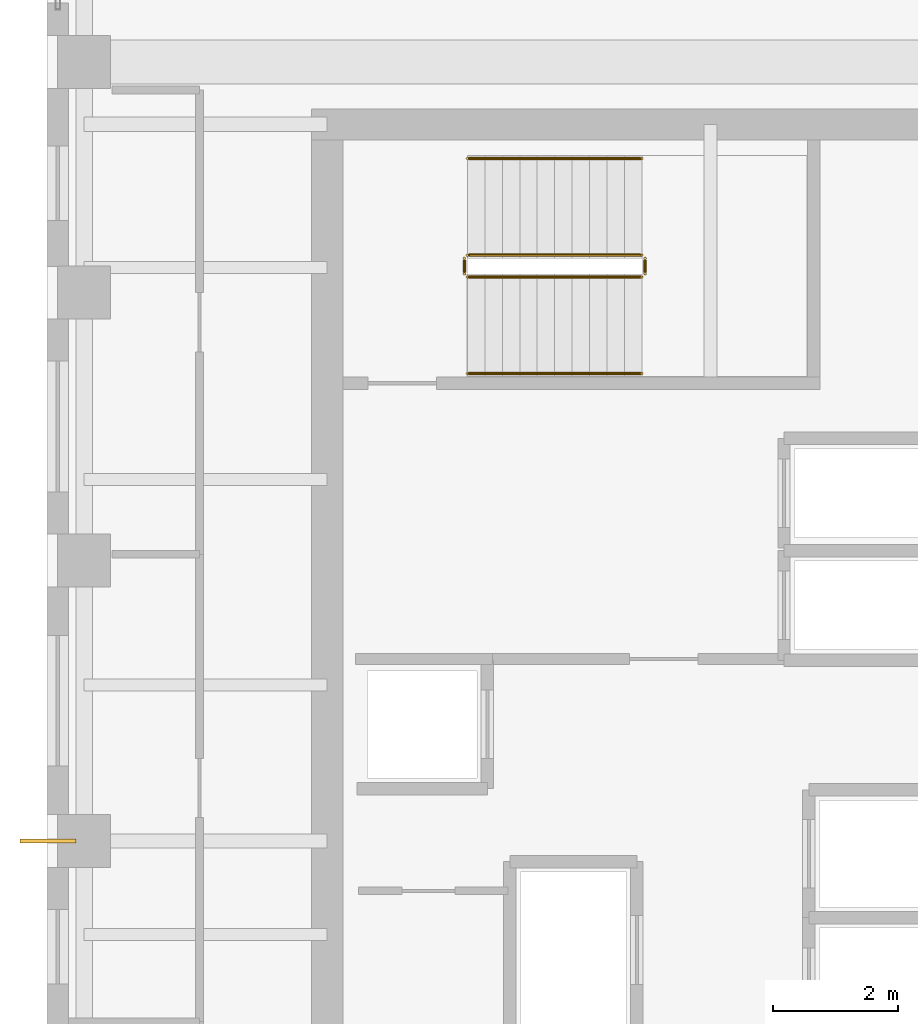
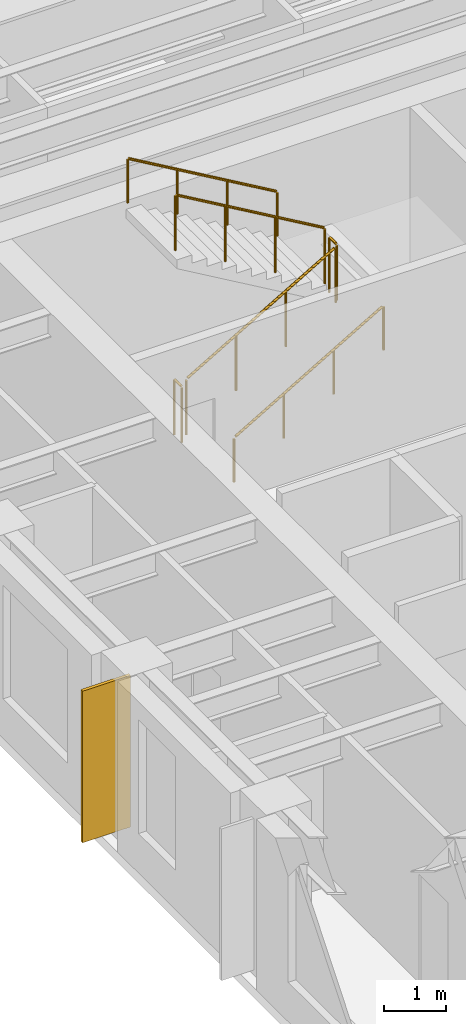
# One storey, part 12 of 13: 6 railings, 1 covering.
"""IFC4 building model written with IfcOpenShell, lengths in metres."""

from ifc_helpers import new_model, si_unit, direction, frame, origin, origin_2d, place, context, subcontext, project, spatial, rectangle, circle, extrude, source, transform, mapped, material, layer, layer_set, type_object, element, save


model = new_model("IFC4")

# Units and contexts
model_context = context("Model", 3, precision=1e-05, world=origin(), true_north=direction((0.0, 1.0)))
body_context = subcontext(model_context, "Body", "Model", "MODEL_VIEW")
ifc_project = project(units=[si_unit("LENGTHUNIT", "METRE"), si_unit("AREAUNIT", "SQUARE_METRE"), si_unit("VOLUMEUNIT", "CUBIC_METRE"), si_unit("PLANEANGLEUNIT", "RADIAN"), si_unit("MASSUNIT", "GRAM", prefix="KILO")], contexts=[model_context])

# Site, building, storey
site_placement = place(None, origin())
site = spatial("IfcSite", under=ifc_project, at=site_placement, CompositionType="ELEMENT")
building_placement = place(site_placement, origin())
building = spatial("IfcBuilding", under=site, at=building_placement, Name="Kharzan Plaza Tower", CompositionType="ELEMENT")
storey_placement = place(building_placement, frame((0.0, 0.0, 259.199951171875)))
storey = spatial("IfcBuildingStorey", under=building, at=storey_placement, Name="L70", CompositionType="ELEMENT", Elevation=259.199951171875)

# Railings
ifc_material_1 = material(Name="Painted Galvanized Architectural Steel", Category="steel")
ifc_layer_1 = layer(ifc_material_1, 0.074951171875)
ifc_layer_set_1 = layer_set([ifc_layer_1], Name="Painted Galvanized Architectural Steel")
railing_type_1 = type_object("IfcRailingType", Name="RL-GUARD-1120", PredefinedType="BALUSTRADE", material=ifc_layer_set_1)
shared_shape_1 = source(origin(), body_context, "Body", "SweptSolid", [
    extrude(circle(Radius=0.02392578125, at=origin_2d()), frame((0.0, 0.0263671875, 1.09619140625), z_axis=(0.0, 1.0, 0.0), x_axis=(-1.0, 0.0, 0.0)), (0.0, 0.0, 1.0), 0.197021484375),
    extrude(circle(Radius=0.02099609375, at=origin_2d()), origin(), (0.0, 0.0, 1.0), 1.072021484375),
    extrude(circle(Radius=0.02099609375, at=origin_2d()), frame((0.0, 0.25, 0.0)), (0.0, 0.0, 1.0), 1.072021484375),
])
for number, where, name in (
    (1, (9.60009765625, 27.10009765625, 1.800048828125), "L70 ST-2 stair guard 2"),
    (2, (6.699951171875, 27.10009765625, 0.0), "L70 ST-2 stair guard 4"),
):
    element("IfcRailing", number, at=place(storey_placement, frame(where)), inside=storey, type_object=railing_type_1, Name=name, PredefinedType="BALUSTRADE", context=body_context, shape_type="MappedRepresentation", body=[
        mapped(shared_shape_1, transform((0.0, 0.0, 0.0), x_axis=(1.0, 0.0, 0.0), y_axis=(0.0, 1.0, 0.0), z_axis=(0.0, 0.0, 1.0))),
    ])

# Covering
ifc_material_2 = material(Name="Honed Riyadh Limestone", Category="masonry")
ifc_layer_2 = layer(ifc_material_2, 0.06005859375)
ifc_layer_set_2 = layer_set([ifc_layer_2], Name="Honed Riyadh Limestone")
covering_type = type_object("IfcCoveringType", Name="COV-CLAD-STONE", PredefinedType="CLADDING", material=ifc_layer_set_2)
shared_shape_2 = source(origin(), body_context, "Body", "SweptSolid", [
    extrude(rectangle(XDim=0.06005859375, YDim=0.89990234375, at=origin_2d()), origin(), (0.0, 0.0, 1.0), 3.0),
])
covering_placement = place(storey_placement, frame((0.02001953125, 18.0, 0.10009765625), z_axis=(0.0, 0.0, 1.0), x_axis=(0.0, 1.0, 0.0)))
element("IfcCovering", 3, at=covering_placement, inside=storey, type_object=covering_type, Name="L70 Limestone Pier Rainscreen Cladding TCW-180", PredefinedType="CLADDING", context=body_context, shape_type="MappedRepresentation", body=[
    mapped(shared_shape_2, transform((0.0, 0.0, 0.0), x_axis=(1.0, 0.0, 0.0), y_axis=(0.0, 1.0, 0.0), z_axis=(0.0, 0.0, 1.0))),
])

# Railings
shared_shape_3 = source(origin(), body_context, "Body", "SweptSolid", [
    extrude(circle(Radius=0.02392578125, at=origin_2d()), frame((0.02294921875, 0.0, 1.109375), z_axis=(0.863360870873, 0.0, 0.504586966384), x_axis=(0.0, 1.0, 0.0)), (0.0, 0.0, 1.0), 3.190185546875),
    extrude(circle(Radius=0.02099609375, at=origin_2d()), origin(), (0.0, 0.0, 1.0), 1.072021484375),
    extrude(circle(Radius=0.02099609375, at=origin_2d()), frame((0.933349609375, 0.0, 0.54541015625)), (0.0, 0.0, 1.0), 1.072021484375),
    extrude(circle(Radius=0.02099609375, at=origin_2d()), frame((1.86669921875, 0.0, 1.091064453125)), (0.0, 0.0, 1.0), 1.072021484375),
    extrude(circle(Radius=0.02099609375, at=origin_2d()), frame((2.800048828125, 0.0, 1.636474609375)), (0.0, 0.0, 1.0), 1.072021484375),
])
railing_1_placement = place(storey_placement, frame((6.75, 27.050048828125, 0.16357421875)))
element("IfcRailing", 4, at=railing_1_placement, inside=storey, type_object=railing_type_1, Name="L70 ST-2 stair guard 1", PredefinedType="BALUSTRADE", context=body_context, shape_type="MappedRepresentation", body=[
    mapped(shared_shape_3, transform((0.0, 0.0, 0.0), x_axis=(1.0, 0.0, 0.0), y_axis=(0.0, 1.0, 0.0), z_axis=(0.0, 0.0, 1.0))),
])
shared_shape_4 = source(origin(), body_context, "Body", "SweptSolid", [
    extrude(circle(Radius=0.02392578125, at=origin_2d()), frame((-0.02294921875, 0.0, 1.109375), z_axis=(-0.863360870873, 0.0, 0.504586966384), x_axis=(0.0, -1.0, 0.0)), (0.0, 0.0, 1.0), 3.190185546875),
    extrude(circle(Radius=0.02099609375, at=origin_2d()), origin(), (0.0, 0.0, 1.0), 1.072021484375),
    extrude(circle(Radius=0.02099609375, at=origin_2d()), frame((-0.933349609375, 0.0, 0.54541015625)), (0.0, 0.0, 1.0), 1.072021484375),
    extrude(circle(Radius=0.02099609375, at=origin_2d()), frame((-1.86669921875, 0.0, 1.091064453125)), (0.0, 0.0, 1.0), 1.072021484375),
    extrude(circle(Radius=0.02099609375, at=origin_2d()), frame((-2.800048828125, 0.0, 1.636474609375)), (0.0, 0.0, 1.0), 1.072021484375),
])
railing_2_placement = place(storey_placement, frame((9.550048828125, 27.39990234375, 1.963623046875)))
element("IfcRailing", 5, at=railing_2_placement, inside=storey, type_object=railing_type_1, Name="L70 ST-2 stair guard 3", PredefinedType="BALUSTRADE", context=body_context, shape_type="MappedRepresentation", body=[
    mapped(shared_shape_4, transform((0.0, 0.0, 0.0), x_axis=(1.0, 0.0, 0.0), y_axis=(0.0, 1.0, 0.0), z_axis=(0.0, 0.0, 1.0))),
])
ifc_material_3 = material(Name="Brushed Stainless Steel", Category="steel")
ifc_layer_3 = layer(ifc_material_3, 0.050048828125)
ifc_layer_set_3 = layer_set([ifc_layer_3], Name="Brushed Stainless Steel")
railing_type_2 = type_object("IfcRailingType", Name="RL-STAIR-HR920", PredefinedType="HANDRAIL", material=ifc_layer_set_3)
shared_shape_5 = source(origin(), body_context, "Body", "SweptSolid", [
    extrude(circle(Radius=0.02392578125, at=origin_2d()), frame((0.02294921875, 0.0, 0.88916015625), z_axis=(0.863360870873, 0.0, 0.504586966384), x_axis=(0.0, 1.0, 0.0)), (0.0, 0.0, 1.0), 3.190185546875),
    extrude(circle(Radius=0.02099609375, at=origin_2d()), origin(), (0.0, 0.0, 1.0), 0.851806640625),
    extrude(circle(Radius=0.02099609375, at=origin_2d()), frame((0.933349609375, 0.0, 0.54541015625)), (0.0, 0.0, 1.0), 0.851806640625),
    extrude(circle(Radius=0.02099609375, at=origin_2d()), frame((1.86669921875, 0.0, 1.091064453125)), (0.0, 0.0, 1.0), 0.851806640625),
    extrude(circle(Radius=0.02099609375, at=origin_2d()), frame((2.800048828125, 0.0, 1.636474609375)), (0.0, 0.0, 1.0), 0.851806640625),
])
railing_3_placement = place(storey_placement, frame((6.75, 25.5, 0.16357421875)))
element("IfcRailing", 6, at=railing_3_placement, inside=storey, type_object=railing_type_2, Name="L70 ST-2 stair handrail 1", PredefinedType="HANDRAIL", context=body_context, shape_type="MappedRepresentation", body=[
    mapped(shared_shape_5, transform((0.0, 0.0, 0.0), x_axis=(1.0, 0.0, 0.0), y_axis=(0.0, 1.0, 0.0), z_axis=(0.0, 0.0, 1.0))),
])
shared_shape_6 = source(origin(), body_context, "Body", "SweptSolid", [
    extrude(circle(Radius=0.02392578125, at=origin_2d()), frame((-0.02294921875, 0.0, 0.88916015625), z_axis=(-0.863360870873, 0.0, 0.504586966384), x_axis=(0.0, -1.0, 0.0)), (0.0, 0.0, 1.0), 3.190185546875),
    extrude(circle(Radius=0.02099609375, at=origin_2d()), origin(), (0.0, 0.0, 1.0), 0.851806640625),
    extrude(circle(Radius=0.02099609375, at=origin_2d()), frame((-0.933349609375, 0.0, 0.54541015625)), (0.0, 0.0, 1.0), 0.851806640625),
    extrude(circle(Radius=0.02099609375, at=origin_2d()), frame((-1.86669921875, 0.0, 1.091064453125)), (0.0, 0.0, 1.0), 0.851806640625),
    extrude(circle(Radius=0.02099609375, at=origin_2d()), frame((-2.800048828125, 0.0, 1.636474609375)), (0.0, 0.0, 1.0), 0.851806640625),
])
railing_4_placement = place(storey_placement, frame((9.550048828125, 28.949951171875, 1.963623046875)))
element("IfcRailing", 7, at=railing_4_placement, inside=storey, type_object=railing_type_2, Name="L70 ST-2 stair handrail 2", PredefinedType="HANDRAIL", context=body_context, shape_type="MappedRepresentation", body=[
    mapped(shared_shape_6, transform((0.0, 0.0, 0.0), x_axis=(1.0, 0.0, 0.0), y_axis=(0.0, 1.0, 0.0), z_axis=(0.0, 0.0, 1.0))),
])

save(model, "model.ifc")
